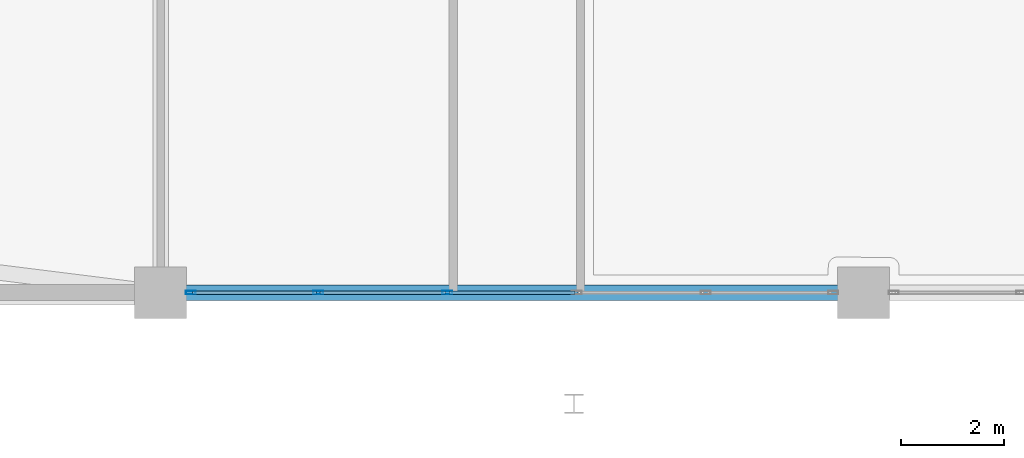
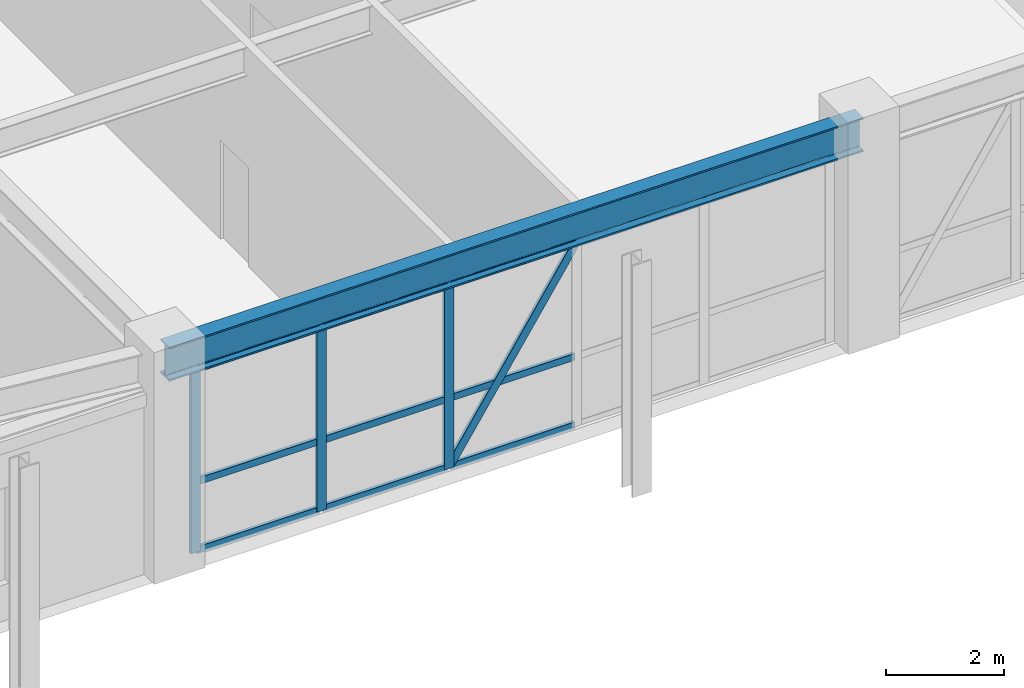
# One storey, part 5 of 48: 13 members, 1 beam, 1 element without a shape of its own.
"""IFC4 building model written with IfcOpenShell, lengths in metres."""

from ifc_helpers import new_model, si_unit, derived_unit, direction, frame, origin, origin_2d, place, context, subcontext, project, spatial, hollow_rectangle, i_section, extrude, source, transform, mapped, material, layer, layer_set, material_profile, profile_set, type_object, element, aggregate, save


model = new_model("IFC4")

# Units and contexts
model_context = context("Model", 3, precision=1e-05, world=origin(), true_north=direction((0.0, 1.0)))
body_context = subcontext(model_context, "Body", "Model", "MODEL_VIEW")
ifc_project = project(units=[si_unit("LENGTHUNIT", "METRE"), si_unit("AREAUNIT", "SQUARE_METRE"), si_unit("VOLUMEUNIT", "CUBIC_METRE"), si_unit("PLANEANGLEUNIT", "RADIAN"), si_unit("MASSUNIT", "GRAM", prefix="KILO"), derived_unit("THERMALTRANSMITTANCEUNIT", [(si_unit("POWERUNIT", "WATT"), 1), (si_unit("LENGTHUNIT", "METRE"), -2), (si_unit("THERMODYNAMICTEMPERATUREUNIT", "KELVIN"), -1)])], contexts=[model_context])

# Site, building, storey
site_placement = place(None, origin())
site = spatial("IfcSite", under=ifc_project, at=site_placement, CompositionType="ELEMENT")
building_placement = place(site_placement, origin())
building = spatial("IfcBuilding", under=site, at=building_placement, Name="Korsvarv Bourse and Concert Hall", CompositionType="ELEMENT")
storey_placement = place(building_placement, frame((0.0, 0.0, 4.800048828125)))
storey = spatial("IfcBuildingStorey", under=building, at=storey_placement, Name="L01", CompositionType="ELEMENT", Elevation=4.800048828125)

# Beam
ifc_material_1 = material(Name="Steel S355", Category="steel")
ifc_material_profile_1 = material_profile(ifc_material_1, i_section(OverallWidth=0.300048828125, OverallDepth=0.699951171875, WebThickness=0.01708984375, FlangeThickness=0.031982421875, FilletRadius=0.027099609375, at=origin_2d()), Name="HEB 700")
ifc_profile_set_1 = profile_set([ifc_material_profile_1], Name="Steel S355")
beam_type = type_object("IfcBeamType", Name="BM-HEB700", PredefinedType="BEAM", material=ifc_profile_set_1)
shared_shape_1 = source(origin(), body_context, "Body", "SweptSolid", [
    extrude(i_section(OverallWidth=0.300048828125, OverallDepth=0.699951171875, WebThickness=0.01708984375, FlangeThickness=0.031982421875, FilletRadius=0.027099609375, at=origin_2d()), origin(), (0.0, 0.0, 1.0), 13.60009765625),
])
beam_placement = place(storey_placement, frame((14.0, 3.0, 4.169921875), z_axis=(1.0, 0.0, 0.0), x_axis=(0.0, 1.0, 0.0)))
element("IfcBeam", 1, at=beam_placement, inside=storey, type_object=beam_type, Name="L01 beam B-03", PredefinedType="BEAM", context=body_context, shape_type="MappedRepresentation", body=[
    mapped(shared_shape_1, transform((0.0, 0.0, 0.0), scale=1.0)),
])

# Curtain wall, members
ifc_material_2 = material(Name="Anodised aluminium and triple low-E glazing", Category="glass")
ifc_layer = layer(ifc_material_2, 0.239990234375)
ifc_layer_set = layer_set([ifc_layer], Name="Anodised aluminium and triple low-E glazing")
curtain_wall_type = type_object("IfcCurtainWallType", Name="CW-SYS-5", PredefinedType="NOTDEFINED", material=ifc_layer_set)
curtain_wall_placement = place(storey_placement, origin())
curtain_wall = element("IfcCurtainWall", 2, at=curtain_wall_placement, inside=storey, type_object=curtain_wall_type, Name="L01 CW5 curtain wall CW-L01-S2", PredefinedType="NOTDEFINED")
ifc_material_3 = material(Name="Extruded aluminium EN AW-6063 T66", Category="aluminium")
ifc_material_profile_2 = material_profile(ifc_material_3, hollow_rectangle(XDim=0.070068359375, YDim=0.18994140625, WallThickness=0.0048828125, at=origin_2d()), Name="ALU-M 70x190")
ifc_profile_set_2 = profile_set([ifc_material_profile_2], Name="Extruded aluminium EN AW-6063 T66")
member_type_1 = type_object("IfcMemberType", Name="CWM-190", PredefinedType="MULLION", material=ifc_profile_set_2)
shared_shape_2 = source(origin(), body_context, "Body", "SweptSolid", [
    extrude(hollow_rectangle(XDim=0.070068359375, YDim=0.18994140625, WallThickness=0.0048828125, at=origin_2d()), origin(), (0.0, 0.0, 1.0), 3.820068359375),
])
member_1_placement = place(storey_placement, frame((14.5849609375, 3.0, 0.0), z_axis=(0.0, 0.0, 1.0), x_axis=(0.0, 1.0, 0.0)))
member_1 = element("IfcMember", 3, at=member_1_placement, type_object=member_type_1, Name="CW5 mullion 1", PredefinedType="MULLION", context=body_context, shape_type="MappedRepresentation", body=[
    mapped(shared_shape_2, transform((0.0, 0.0, 0.0), scale=1.0)),
])
member_2_placement = place(storey_placement, frame((17.050048828125, 3.0, 0.0), z_axis=(0.0, 0.0, 1.0), x_axis=(0.0, 1.0, 0.0)))
member_2 = element("IfcMember", 4, at=member_2_placement, type_object=member_type_1, Name="CW5 mullion 2", PredefinedType="MULLION", context=body_context, shape_type="MappedRepresentation", body=[
    mapped(shared_shape_2, transform((0.0, 0.0, 0.0), scale=1.0)),
])
member_3_placement = place(storey_placement, frame((19.550048828125, 3.0, 0.0), z_axis=(0.0, 0.0, 1.0), x_axis=(0.0, 1.0, 0.0)))
member_3 = element("IfcMember", 5, at=member_3_placement, type_object=member_type_1, Name="CW5 mullion 3", PredefinedType="MULLION", context=body_context, shape_type="MappedRepresentation", body=[
    mapped(shared_shape_2, transform((0.0, 0.0, 0.0), scale=1.0)),
])
ifc_material_profile_3 = material_profile(ifc_material_3, hollow_rectangle(XDim=0.06494140625, YDim=0.139892578125, WallThickness=0.00390625, at=origin_2d()), Name="ALU-T 65x140")
ifc_profile_set_3 = profile_set([ifc_material_profile_3], Name="Extruded aluminium EN AW-6063 T66")
member_type_2 = type_object("IfcMemberType", Name="CWT-140", PredefinedType="USERDEFINED", material=ifc_profile_set_3)
shared_shape_3 = source(origin(), body_context, "Body", "SweptSolid", [
    extrude(hollow_rectangle(XDim=0.06494140625, YDim=0.139892578125, WallThickness=0.00390625, at=origin_2d()), origin(), (0.0, 0.0, 1.0), 2.394775390625),
])
member_4_placement = place(storey_placement, frame((14.6201171875, 3.0, 0.032470703125), z_axis=(1.0, 0.0, 0.0), x_axis=(0.0, 1.0, 0.0)))
member_4 = element("IfcMember", 6, at=member_4_placement, type_object=member_type_2, Name="CW5 transom 1.1", ObjectType="TRANSOM", PredefinedType="USERDEFINED", context=body_context, shape_type="MappedRepresentation", body=[
    mapped(shared_shape_3, transform((0.0, 0.0, 0.0), scale=1.0)),
])
member_5_placement = place(storey_placement, frame((14.6201171875, 3.0, 1.45166015625), z_axis=(1.0, 0.0, 0.0), x_axis=(0.0, 1.0, 0.0)))
member_5 = element("IfcMember", 7, at=member_5_placement, type_object=member_type_2, Name="CW5 transom 1.2", ObjectType="TRANSOM", PredefinedType="USERDEFINED", context=body_context, shape_type="MappedRepresentation", body=[
    mapped(shared_shape_3, transform((0.0, 0.0, 0.0), scale=1.0)),
])
member_6_placement = place(storey_placement, frame((14.6201171875, 3.0, 3.787353515625), z_axis=(1.0, 0.0, 0.0), x_axis=(0.0, 1.0, 0.0)))
member_6 = element("IfcMember", 8, at=member_6_placement, type_object=member_type_2, Name="CW5 transom 1.3", ObjectType="TRANSOM", PredefinedType="USERDEFINED", context=body_context, shape_type="MappedRepresentation", body=[
    mapped(shared_shape_3, transform((0.0, 0.0, 0.0), scale=1.0)),
])
shared_shape_4 = source(origin(), body_context, "Body", "SweptSolid", [
    extrude(hollow_rectangle(XDim=0.06494140625, YDim=0.139892578125, WallThickness=0.00390625, at=origin_2d()), origin(), (0.0, 0.0, 1.0), 2.429931640625),
])
member_7_placement = place(storey_placement, frame((17.0849609375, 3.0, 0.032470703125), z_axis=(1.0, 0.0, 0.0), x_axis=(0.0, 1.0, 0.0)))
member_7 = element("IfcMember", 9, at=member_7_placement, type_object=member_type_2, Name="CW5 transom 2.1", ObjectType="TRANSOM", PredefinedType="USERDEFINED", context=body_context, shape_type="MappedRepresentation", body=[
    mapped(shared_shape_4, transform((0.0, 0.0, 0.0), scale=1.0)),
])
member_8_placement = place(storey_placement, frame((17.0849609375, 3.0, 1.45166015625), z_axis=(1.0, 0.0, 0.0), x_axis=(0.0, 1.0, 0.0)))
member_8 = element("IfcMember", 10, at=member_8_placement, type_object=member_type_2, Name="CW5 transom 2.2", ObjectType="TRANSOM", PredefinedType="USERDEFINED", context=body_context, shape_type="MappedRepresentation", body=[
    mapped(shared_shape_4, transform((0.0, 0.0, 0.0), scale=1.0)),
])
member_9_placement = place(storey_placement, frame((17.0849609375, 3.0, 3.787353515625), z_axis=(1.0, 0.0, 0.0), x_axis=(0.0, 1.0, 0.0)))
member_9 = element("IfcMember", 11, at=member_9_placement, type_object=member_type_2, Name="CW5 transom 2.3", ObjectType="TRANSOM", PredefinedType="USERDEFINED", context=body_context, shape_type="MappedRepresentation", body=[
    mapped(shared_shape_4, transform((0.0, 0.0, 0.0), scale=1.0)),
])
member_10_placement = place(storey_placement, frame((19.5849609375, 3.0, 0.032470703125), z_axis=(1.0, 0.0, 0.0), x_axis=(0.0, 1.0, 0.0)))
member_10 = element("IfcMember", 12, at=member_10_placement, type_object=member_type_2, Name="CW5 transom 3.1", ObjectType="TRANSOM", PredefinedType="USERDEFINED", context=body_context, shape_type="MappedRepresentation", body=[
    mapped(shared_shape_4, transform((0.0, 0.0, 0.0), scale=1.0)),
])
member_11_placement = place(storey_placement, frame((19.5849609375, 3.0, 1.45166015625), z_axis=(1.0, 0.0, 0.0), x_axis=(0.0, 1.0, 0.0)))
member_11 = element("IfcMember", 13, at=member_11_placement, type_object=member_type_2, Name="CW5 transom 3.2", ObjectType="TRANSOM", PredefinedType="USERDEFINED", context=body_context, shape_type="MappedRepresentation", body=[
    mapped(shared_shape_4, transform((0.0, 0.0, 0.0), scale=1.0)),
])
member_12_placement = place(storey_placement, frame((19.5849609375, 3.0, 3.787353515625), z_axis=(1.0, 0.0, 0.0), x_axis=(0.0, 1.0, 0.0)))
member_12 = element("IfcMember", 14, at=member_12_placement, type_object=member_type_2, Name="CW5 transom 3.3", ObjectType="TRANSOM", PredefinedType="USERDEFINED", context=body_context, shape_type="MappedRepresentation", body=[
    mapped(shared_shape_4, transform((0.0, 0.0, 0.0), scale=1.0)),
])
ifc_material_profile_4 = material_profile(ifc_material_3, hollow_rectangle(XDim=0.06494140625, YDim=0.1650390625, WallThickness=0.0048828125, at=origin_2d()), Name="ALU-M 65x165")
ifc_profile_set_4 = profile_set([ifc_material_profile_4], Name="Extruded aluminium EN AW-6063 T66")
member_type_3 = type_object("IfcMemberType", Name="CWM-165", PredefinedType="MULLION", material=ifc_profile_set_4)
shared_shape_5 = source(origin(), body_context, "Body", "SweptSolid", [
    extrude(hollow_rectangle(XDim=0.06494140625, YDim=0.1650390625, WallThickness=0.0048828125, at=origin_2d()), origin(), (0.0, 0.0, 1.0), 4.418212890625),
])
member_13_placement = place(storey_placement, frame((19.5849609375, 3.0, 0.06494140625), z_axis=(0.549985869112, 0.0, 0.835173960189), x_axis=(0.0, 1.0, 0.0)))
member_13 = element("IfcMember", 15, at=member_13_placement, type_object=member_type_3, Name="CW5 diagonal mullion 3", PredefinedType="MULLION", context=body_context, shape_type="MappedRepresentation", body=[
    mapped(shared_shape_5, transform((0.0, 0.0, 0.0), scale=1.0)),
])
aggregate(curtain_wall, [member_1, member_2, member_3, member_4, member_5, member_6, member_7, member_8, member_9, member_10, member_11, member_12, member_13])

save(model, "model.ifc")
